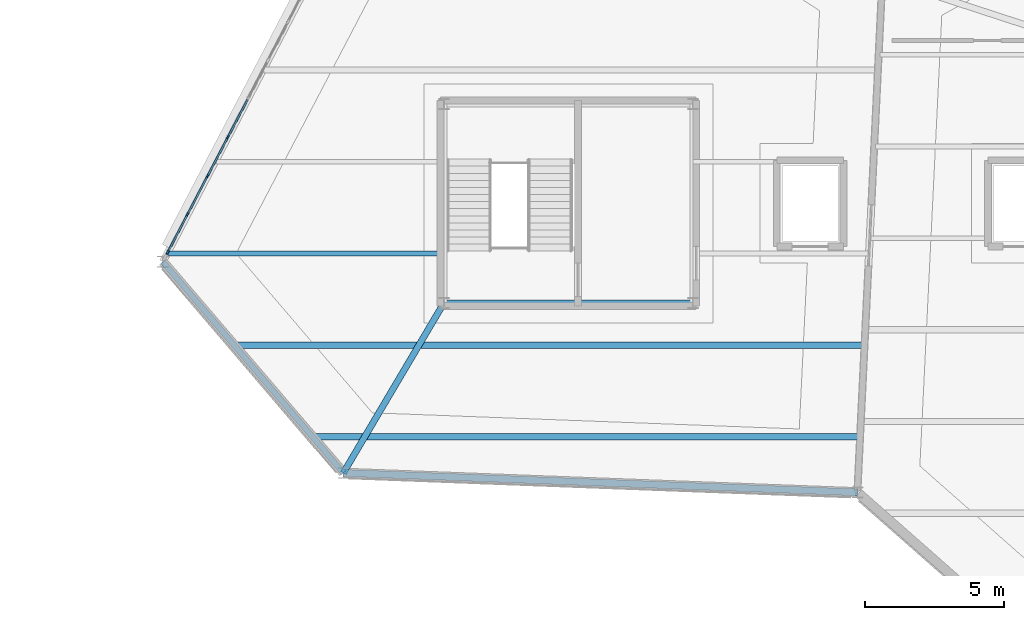
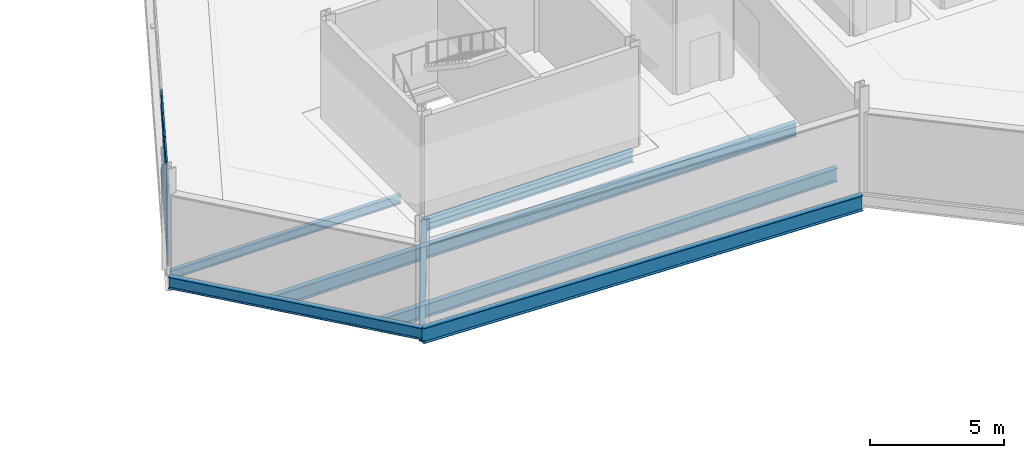
# One storey, part 59 of 134: 20 members, 7 beams, 1 element without a shape of its own.
"""IFC4 building model written with IfcOpenShell, lengths in metres."""

from ifc_helpers import new_model, si_unit, direction, frame, origin, origin_2d, place, context, subcontext, project, spatial, rectangle, i_section, extrude, material, material_profile, profile_set, type_object, element, aggregate, save


model = new_model("IFC4")

# Units and contexts
model_context = context("Model", 3, precision=1e-05, world=origin(), true_north=direction((0.0, 1.0)))
body_context = subcontext(model_context, "Body", "Model", "MODEL_VIEW")
ifc_project = project(units=[si_unit("LENGTHUNIT", "METRE"), si_unit("AREAUNIT", "SQUARE_METRE"), si_unit("VOLUMEUNIT", "CUBIC_METRE"), si_unit("PLANEANGLEUNIT", "RADIAN"), si_unit("MASSUNIT", "GRAM", prefix="KILO")], contexts=[model_context])

# Site, building, storey
site_placement = place(None, origin())
site = spatial("IfcSite", under=ifc_project, at=site_placement, CompositionType="ELEMENT")
building_placement = place(site_placement, origin())
building = spatial("IfcBuilding", under=site, at=building_placement, Name="Tameran Prism Museum", CompositionType="ELEMENT")
storey_placement = place(building_placement, frame((0.0, 0.0, 5.39990234375)))
storey = spatial("IfcBuildingStorey", under=building, at=storey_placement, Name="L01", CompositionType="ELEMENT", Elevation=5.39990234375)

# Beams
ifc_material_1 = material(Name="Steel Grade 300PLUS (300 MPa)", Category="steel")
ifc_material_profile_1 = material_profile(ifc_material_1, i_section(OverallWidth=0.177978515625, OverallDepth=0.403076171875, WebThickness=0.007568359375, FlangeThickness=0.010986328125, FilletRadius=0.011474609375, at=origin_2d()))
ifc_profile_set_1 = profile_set([ifc_material_profile_1])
beam_type_1 = type_object("IfcBeamType", Name="BM-J410B", PredefinedType="JOIST", material=ifc_profile_set_1)
beam_1_placement = place(storey_placement, frame((93.10205078125, 79.199951171875, -0.4013671875), z_axis=(1.0, 0.0, 0.0), x_axis=(0.0, 1.0, 0.0)))
element("IfcBeam", 1, at=beam_1_placement, inside=storey, type_object=beam_type_1, Name="Floor Beam BM-0500", PredefinedType="JOIST", context=body_context, shape_type="SweptSolid", body=[
    extrude(i_section(OverallWidth=0.177978515625, OverallDepth=0.403076171875, WebThickness=0.007568359375, FlangeThickness=0.010986328125, FilletRadius=0.011474609375, at=origin_2d()), origin(), (0.0, 0.0, 1.0), 9.91796875),
])
ifc_material_2 = material(Name="Steel Grade 300PLUS (300 MPa)", Category="steel")
ifc_material_profile_2 = material_profile(ifc_material_2, i_section(OverallWidth=0.208984375, OverallDepth=0.532958984375, WebThickness=0.01025390625, FlangeThickness=0.015625, FilletRadius=0.013916015625, at=origin_2d()))
ifc_profile_set_2 = profile_set([ifc_material_profile_2])
beam_type_2 = type_object("IfcBeamType", Name="BM-SP530A", PredefinedType="SPANDREL", material=ifc_profile_set_2)
beam_2_placement = place(storey_placement, frame((92.89990234375, 78.89990234375, -0.46630859375), z_axis=(0.649974737731, -0.75995581471, 0.0), x_axis=(0.75995581471, 0.649974737731, 0.0)))
element("IfcBeam", 2, at=beam_2_placement, inside=storey, type_object=beam_type_2, Name="Perimeter Spandrel SP-0329", PredefinedType="SPANDREL", context=body_context, shape_type="SweptSolid", body=[
    extrude(i_section(OverallWidth=0.208984375, OverallDepth=0.532958984375, WebThickness=0.01025390625, FlangeThickness=0.015625, FilletRadius=0.013916015625, at=origin_2d()), origin(), (0.0, 0.0, 1.0), 10.00048828125),
])
ifc_material_3 = material(Name="Steel Grade 300PLUS (300 MPa)", Category="steel")
ifc_material_profile_3 = material_profile(ifc_material_3, i_section(OverallWidth=0.208984375, OverallDepth=0.528076171875, WebThickness=0.009521484375, FlangeThickness=0.01318359375, FilletRadius=0.013916015625, at=origin_2d()))
ifc_profile_set_3 = profile_set([ifc_material_profile_3])
beam_type_3 = type_object("IfcBeamType", Name="BM-SP530B", PredefinedType="SPANDREL", material=ifc_profile_set_3)
beam_3_placement = place(storey_placement, frame((103.02001953125, 77.419921875, -0.50390625), z_axis=(1.0, 0.0, 0.0), x_axis=(0.0, 1.0, 0.0)))
element("IfcBeam", 3, at=beam_3_placement, inside=storey, type_object=beam_type_3, Name="Core Ring Beam CTB-0438", PredefinedType="SPANDREL", context=body_context, shape_type="SweptSolid", body=[
    extrude(i_section(OverallWidth=0.208984375, OverallDepth=0.528076171875, WebThickness=0.009521484375, FlangeThickness=0.01318359375, FilletRadius=0.013916015625, at=origin_2d()), origin(), (0.0, 0.0, 1.0), 8.9599609375),
])
ifc_material_4 = material(Name="Steel Grade 350 (350 MPa)", Category="steel")
ifc_material_profile_4 = material_profile(ifc_material_4, i_section(OverallWidth=0.25, OverallDepth=0.699951171875, WebThickness=0.010009765625, FlangeThickness=0.02001953125, at=origin_2d()))
ifc_profile_set_4 = profile_set([ifc_material_profile_4])
beam_type_4 = type_object("IfcBeamType", Name="BM-SP700", PredefinedType="SPANDREL", material=ifc_profile_set_4)
beam_4_placement = place(storey_placement, frame((99.39990234375, 71.300048828125, -0.5498046875), z_axis=(0.999285016412, -0.037808146934, 0.0), x_axis=(0.037808146934, 0.999285016412, 0.0)))
element("IfcBeam", 4, at=beam_4_placement, inside=storey, type_object=beam_type_4, Name="Perimeter Spandrel SP-0325", PredefinedType="SPANDREL", context=body_context, shape_type="SweptSolid", body=[
    extrude(i_section(OverallWidth=0.25, OverallDepth=0.699951171875, WebThickness=0.010009765625, FlangeThickness=0.02001953125, at=origin_2d()), origin(), (0.0, 0.0, 1.0), 18.51318359375),
])
ifc_material_5 = material(Name="Steel Grade 300PLUS (300 MPa)", Category="steel")
ifc_material_profile_5 = material_profile(ifc_material_5, i_section(OverallWidth=0.22900390625, OverallDepth=0.612060546875, WebThickness=0.011962890625, FlangeThickness=0.01953125, FilletRadius=0.013916015625, at=origin_2d()))
ifc_profile_set_5 = profile_set([ifc_material_profile_5])
beam_type_5 = type_object("IfcBeamType", Name="BM-UB610A", PredefinedType="BEAM", material=ifc_profile_set_5)
beam_5_placement = place(storey_placement, frame((103.02001953125, 77.419921875, -0.559814453125), z_axis=(-0.50912834972, -0.860690608472, 0.0), x_axis=(0.860690608472, -0.50912834972, 0.0)))
element("IfcBeam", 5, at=beam_5_placement, inside=storey, type_object=beam_type_5, Name="Frame Tie Girder FG-1382", PredefinedType="BEAM", context=body_context, shape_type="SweptSolid", body=[
    extrude(i_section(OverallWidth=0.22900390625, OverallDepth=0.612060546875, WebThickness=0.011962890625, FlangeThickness=0.01953125, FilletRadius=0.013916015625, at=origin_2d()), origin(), (0.0, 0.0, 1.0), 7.1103515625),
])
ifc_material_6 = material(Name="Steel Grade 300PLUS (300 MPa)", Category="steel")
ifc_material_profile_6 = material_profile(ifc_material_6, i_section(OverallWidth=0.22802734375, OverallDepth=0.60693359375, WebThickness=0.01123046875, FlangeThickness=0.017333984375, FilletRadius=0.013916015625, at=origin_2d()))
ifc_profile_set_6 = profile_set([ifc_material_profile_6])
beam_type_6 = type_object("IfcBeamType", Name="BM-UB610B", PredefinedType="BEAM", material=ifc_profile_set_6)
beam_6_placement = place(storey_placement, frame((98.341064453125, 72.60009765625, -0.50341796875), z_axis=(1.0, 0.0, 0.0), x_axis=(0.0, 1.0, 0.0)))
element("IfcBeam", 6, at=beam_6_placement, inside=storey, type_object=beam_type_6, Name="Floor Beam BM-0498", PredefinedType="BEAM", context=body_context, shape_type="SweptSolid", body=[
    extrude(i_section(OverallWidth=0.22802734375, OverallDepth=0.60693359375, WebThickness=0.01123046875, FlangeThickness=0.017333984375, FilletRadius=0.013916015625, at=origin_2d()), origin(), (0.0, 0.0, 1.0), 19.615966796875),
])
beam_7_placement = place(storey_placement, frame((95.51806640625, 75.89990234375, -0.50341796875), z_axis=(1.0, 0.0, 0.0), x_axis=(0.0, 1.0, 0.0)))
element("IfcBeam", 7, at=beam_7_placement, inside=storey, type_object=beam_type_6, Name="Floor Beam BM-0499", PredefinedType="BEAM", context=body_context, shape_type="SweptSolid", body=[
    extrude(i_section(OverallWidth=0.22802734375, OverallDepth=0.60693359375, WebThickness=0.01123046875, FlangeThickness=0.017333984375, FilletRadius=0.013916015625, at=origin_2d()), origin(), (0.0, 0.0, 1.0), 22.599853515625),
])

# Curtain wall, members
ifc_material_7 = material(Name="Anodised Aluminium 6063-T6 and Cyclone Solar Glass", Category="aluminium")
curtain_wall_type = type_object("IfcCurtainWallType", Name="CW-FAC-2192x362", PredefinedType="USERDEFINED", material=ifc_material_7)
curtain_wall_placement = place(storey_placement, origin())
curtain_wall = element("IfcCurtainWall", 8, at=curtain_wall_placement, inside=storey, type_object=curtain_wall_type, Name="Unitised Curtain Wall CW-055", ObjectType="UNITISED CURTAIN WALL", PredefinedType="USERDEFINED")
ifc_material_8 = material(Name="Anodised Aluminium Alloy 6063-T6", Category="aluminium")
ifc_material_profile_7 = material_profile(ifc_material_8, rectangle(XDim=0.06494140625, YDim=0.159912109375, at=origin_2d()))
ifc_profile_set_7 = profile_set([ifc_material_profile_7])
member_type_1 = type_object("IfcMemberType", Name="CW-MUL-A", PredefinedType="MULLION", material=ifc_profile_set_7)
member_1_placement = place(storey_placement, frame((93.0771484375, 79.23876953125, 0.0), z_axis=(0.0, 0.0, 1.0), x_axis=(-0.886356952612, 0.463002540551, 0.0)))
member_1 = element("IfcMember", 9, at=member_1_placement, type_object=member_type_1, Name="CW-055 mullion 1", PredefinedType="MULLION", context=body_context, shape_type="SweptSolid", body=[
    extrude(rectangle(XDim=0.06494140625, YDim=0.159912109375, at=origin_2d()), origin(), (0.0, 0.0, 1.0), 3.6201171875),
])
member_2_placement = place(storey_placement, frame((93.786865234375, 80.59765625, 0.0), z_axis=(0.0, 0.0, 1.0), x_axis=(-0.886356952612, 0.463002540551, 0.0)))
member_2 = element("IfcMember", 10, at=member_2_placement, type_object=member_type_1, Name="CW-055 mullion 2", PredefinedType="MULLION", context=body_context, shape_type="SweptSolid", body=[
    extrude(rectangle(XDim=0.06494140625, YDim=0.159912109375, at=origin_2d()), origin(), (0.0, 0.0, 1.0), 3.6201171875),
])
member_3_placement = place(storey_placement, frame((94.51171875, 81.9853515625, 0.0), z_axis=(0.0, 0.0, 1.0), x_axis=(-0.886356952612, 0.463002540551, 0.0)))
member_3 = element("IfcMember", 11, at=member_3_placement, type_object=member_type_1, Name="CW-055 mullion 3", PredefinedType="MULLION", context=body_context, shape_type="SweptSolid", body=[
    extrude(rectangle(XDim=0.06494140625, YDim=0.159912109375, at=origin_2d()), origin(), (0.0, 0.0, 1.0), 3.6201171875),
])
member_4_placement = place(storey_placement, frame((95.236572265625, 83.373046875, 0.0), z_axis=(0.0, 0.0, 1.0), x_axis=(-0.886356952612, 0.463002540551, 0.0)))
member_4 = element("IfcMember", 12, at=member_4_placement, type_object=member_type_1, Name="CW-055 mullion 4", PredefinedType="MULLION", context=body_context, shape_type="SweptSolid", body=[
    extrude(rectangle(XDim=0.06494140625, YDim=0.159912109375, at=origin_2d()), origin(), (0.0, 0.0, 1.0), 3.6201171875),
])
ifc_material_9 = material(Name="Anodised Aluminium Alloy 6063-T6", Category="aluminium")
ifc_material_profile_8 = material_profile(ifc_material_9, rectangle(XDim=0.06494140625, YDim=0.139892578125, at=origin_2d()))
ifc_profile_set_8 = profile_set([ifc_material_profile_8])
member_type_2 = type_object("IfcMemberType", Name="CW-TRN-A", PredefinedType="USERDEFINED", material=ifc_profile_set_8)
member_5_placement = place(storey_placement, frame((93.092041015625, 79.267578125, 0.03271484375), z_axis=(0.462975155635, 0.886371257016, 0.0), x_axis=(-0.886371257016, 0.462975155635, 0.0)))
member_5 = element("IfcMember", 13, at=member_5_placement, type_object=member_type_2, Name="CW-055 transom 1.1", ObjectType="TRANSOM", PredefinedType="USERDEFINED", context=body_context, shape_type="SweptSolid", body=[
    extrude(rectangle(XDim=0.06494140625, YDim=0.139892578125, at=origin_2d()), origin(), (0.0, 0.0, 1.0), 1.468017578125),
])
member_6_placement = place(storey_placement, frame((93.092041015625, 79.267578125, 1.0), z_axis=(0.462975155635, 0.886371257016, 0.0), x_axis=(-0.886371257016, 0.462975155635, 0.0)))
member_6 = element("IfcMember", 14, at=member_6_placement, type_object=member_type_2, Name="CW-055 transom 1.2", ObjectType="TRANSOM", PredefinedType="USERDEFINED", context=body_context, shape_type="SweptSolid", body=[
    extrude(rectangle(XDim=0.06494140625, YDim=0.139892578125, at=origin_2d()), origin(), (0.0, 0.0, 1.0), 1.468017578125),
])
member_7_placement = place(storey_placement, frame((93.092041015625, 79.267578125, 2.940185546875), z_axis=(0.462975155635, 0.886371257016, 0.0), x_axis=(-0.886371257016, 0.462975155635, 0.0)))
member_7 = element("IfcMember", 15, at=member_7_placement, type_object=member_type_2, Name="CW-055 transom 1.3", ObjectType="TRANSOM", PredefinedType="USERDEFINED", context=body_context, shape_type="SweptSolid", body=[
    extrude(rectangle(XDim=0.06494140625, YDim=0.139892578125, at=origin_2d()), origin(), (0.0, 0.0, 1.0), 1.468017578125),
])
member_8_placement = place(storey_placement, frame((93.092041015625, 79.267578125, 3.587646484375), z_axis=(0.462975155635, 0.886371257016, 0.0), x_axis=(-0.886371257016, 0.462975155635, 0.0)))
member_8 = element("IfcMember", 16, at=member_8_placement, type_object=member_type_2, Name="CW-055 transom 1.4", ObjectType="TRANSOM", PredefinedType="USERDEFINED", context=body_context, shape_type="SweptSolid", body=[
    extrude(rectangle(XDim=0.06494140625, YDim=0.139892578125, at=origin_2d()), origin(), (0.0, 0.0, 1.0), 1.468017578125),
])
member_9_placement = place(storey_placement, frame((93.802001953125, 80.62646484375, 0.03271484375), z_axis=(0.462894043203, 0.886413619462, 0.0), x_axis=(-0.886413619462, 0.462894043203, 0.0)))
member_9 = element("IfcMember", 17, at=member_9_placement, type_object=member_type_2, Name="CW-055 transom 2.1", ObjectType="TRANSOM", PredefinedType="USERDEFINED", context=body_context, shape_type="SweptSolid", body=[
    extrude(rectangle(XDim=0.06494140625, YDim=0.139892578125, at=origin_2d()), origin(), (0.0, 0.0, 1.0), 1.50048828125),
])
member_10_placement = place(storey_placement, frame((93.802001953125, 80.62646484375, 1.0), z_axis=(0.462894043203, 0.886413619462, 0.0), x_axis=(-0.886413619462, 0.462894043203, 0.0)))
member_10 = element("IfcMember", 18, at=member_10_placement, type_object=member_type_2, Name="CW-055 transom 2.2", ObjectType="TRANSOM", PredefinedType="USERDEFINED", context=body_context, shape_type="SweptSolid", body=[
    extrude(rectangle(XDim=0.06494140625, YDim=0.139892578125, at=origin_2d()), origin(), (0.0, 0.0, 1.0), 1.50048828125),
])
member_11_placement = place(storey_placement, frame((93.802001953125, 80.62646484375, 2.940185546875), z_axis=(0.462894043203, 0.886413619462, 0.0), x_axis=(-0.886413619462, 0.462894043203, 0.0)))
member_11 = element("IfcMember", 19, at=member_11_placement, type_object=member_type_2, Name="CW-055 transom 2.3", ObjectType="TRANSOM", PredefinedType="USERDEFINED", context=body_context, shape_type="SweptSolid", body=[
    extrude(rectangle(XDim=0.06494140625, YDim=0.139892578125, at=origin_2d()), origin(), (0.0, 0.0, 1.0), 1.50048828125),
])
member_12_placement = place(storey_placement, frame((93.802001953125, 80.62646484375, 3.587646484375), z_axis=(0.462894043203, 0.886413619462, 0.0), x_axis=(-0.886413619462, 0.462894043203, 0.0)))
member_12 = element("IfcMember", 20, at=member_12_placement, type_object=member_type_2, Name="CW-055 transom 2.4", ObjectType="TRANSOM", PredefinedType="USERDEFINED", context=body_context, shape_type="SweptSolid", body=[
    extrude(rectangle(XDim=0.06494140625, YDim=0.139892578125, at=origin_2d()), origin(), (0.0, 0.0, 1.0), 1.50048828125),
])
member_13_placement = place(storey_placement, frame((94.52685546875, 82.01416015625, 0.03271484375), z_axis=(0.462894043203, 0.886413619462, 0.0), x_axis=(-0.886413619462, 0.462894043203, 0.0)))
member_13 = element("IfcMember", 21, at=member_13_placement, type_object=member_type_2, Name="CW-055 transom 3.1", ObjectType="TRANSOM", PredefinedType="USERDEFINED", context=body_context, shape_type="SweptSolid", body=[
    extrude(rectangle(XDim=0.06494140625, YDim=0.139892578125, at=origin_2d()), origin(), (0.0, 0.0, 1.0), 1.50048828125),
])
member_14_placement = place(storey_placement, frame((94.52685546875, 82.01416015625, 1.0), z_axis=(0.462894043203, 0.886413619462, 0.0), x_axis=(-0.886413619462, 0.462894043203, 0.0)))
member_14 = element("IfcMember", 22, at=member_14_placement, type_object=member_type_2, Name="CW-055 transom 3.2", ObjectType="TRANSOM", PredefinedType="USERDEFINED", context=body_context, shape_type="SweptSolid", body=[
    extrude(rectangle(XDim=0.06494140625, YDim=0.139892578125, at=origin_2d()), origin(), (0.0, 0.0, 1.0), 1.50048828125),
])
member_15_placement = place(storey_placement, frame((94.52685546875, 82.01416015625, 2.940185546875), z_axis=(0.462894043203, 0.886413619462, 0.0), x_axis=(-0.886413619462, 0.462894043203, 0.0)))
member_15 = element("IfcMember", 23, at=member_15_placement, type_object=member_type_2, Name="CW-055 transom 3.3", ObjectType="TRANSOM", PredefinedType="USERDEFINED", context=body_context, shape_type="SweptSolid", body=[
    extrude(rectangle(XDim=0.06494140625, YDim=0.139892578125, at=origin_2d()), origin(), (0.0, 0.0, 1.0), 1.50048828125),
])
member_16_placement = place(storey_placement, frame((94.52685546875, 82.01416015625, 3.587646484375), z_axis=(0.462894043203, 0.886413619462, 0.0), x_axis=(-0.886413619462, 0.462894043203, 0.0)))
member_16 = element("IfcMember", 24, at=member_16_placement, type_object=member_type_2, Name="CW-055 transom 3.4", ObjectType="TRANSOM", PredefinedType="USERDEFINED", context=body_context, shape_type="SweptSolid", body=[
    extrude(rectangle(XDim=0.06494140625, YDim=0.139892578125, at=origin_2d()), origin(), (0.0, 0.0, 1.0), 1.50048828125),
])
member_17_placement = place(storey_placement, frame((95.251708984375, 83.40185546875, 0.03271484375), z_axis=(0.462960811674, 0.886378749099, 0.0), x_axis=(-0.886378749099, 0.462960811674, 0.0)))
member_17 = element("IfcMember", 25, at=member_17_placement, type_object=member_type_2, Name="CW-055 transom 4.1", ObjectType="TRANSOM", PredefinedType="USERDEFINED", context=body_context, shape_type="SweptSolid", body=[
    extrude(rectangle(XDim=0.06494140625, YDim=0.139892578125, at=origin_2d()), origin(), (0.0, 0.0, 1.0), 1.500244140625),
])
member_18_placement = place(storey_placement, frame((95.251708984375, 83.40185546875, 1.0), z_axis=(0.462960811674, 0.886378749099, 0.0), x_axis=(-0.886378749099, 0.462960811674, 0.0)))
member_18 = element("IfcMember", 26, at=member_18_placement, type_object=member_type_2, Name="CW-055 transom 4.2", ObjectType="TRANSOM", PredefinedType="USERDEFINED", context=body_context, shape_type="SweptSolid", body=[
    extrude(rectangle(XDim=0.06494140625, YDim=0.139892578125, at=origin_2d()), origin(), (0.0, 0.0, 1.0), 1.500244140625),
])
member_19_placement = place(storey_placement, frame((95.251708984375, 83.40185546875, 2.940185546875), z_axis=(0.462960811674, 0.886378749099, 0.0), x_axis=(-0.886378749099, 0.462960811674, 0.0)))
member_19 = element("IfcMember", 27, at=member_19_placement, type_object=member_type_2, Name="CW-055 transom 4.3", ObjectType="TRANSOM", PredefinedType="USERDEFINED", context=body_context, shape_type="SweptSolid", body=[
    extrude(rectangle(XDim=0.06494140625, YDim=0.139892578125, at=origin_2d()), origin(), (0.0, 0.0, 1.0), 1.500244140625),
])
member_20_placement = place(storey_placement, frame((95.251708984375, 83.40185546875, 3.587646484375), z_axis=(0.462960811674, 0.886378749099, 0.0), x_axis=(-0.886378749099, 0.462960811674, 0.0)))
member_20 = element("IfcMember", 28, at=member_20_placement, type_object=member_type_2, Name="CW-055 transom 4.4", ObjectType="TRANSOM", PredefinedType="USERDEFINED", context=body_context, shape_type="SweptSolid", body=[
    extrude(rectangle(XDim=0.06494140625, YDim=0.139892578125, at=origin_2d()), origin(), (0.0, 0.0, 1.0), 1.500244140625),
])
aggregate(curtain_wall, [member_1, member_2, member_3, member_4, member_5, member_6, member_7, member_8, member_9, member_10, member_11, member_12, member_13, member_14, member_15, member_16, member_17, member_18, member_19, member_20])

save(model, "model.ifc")
